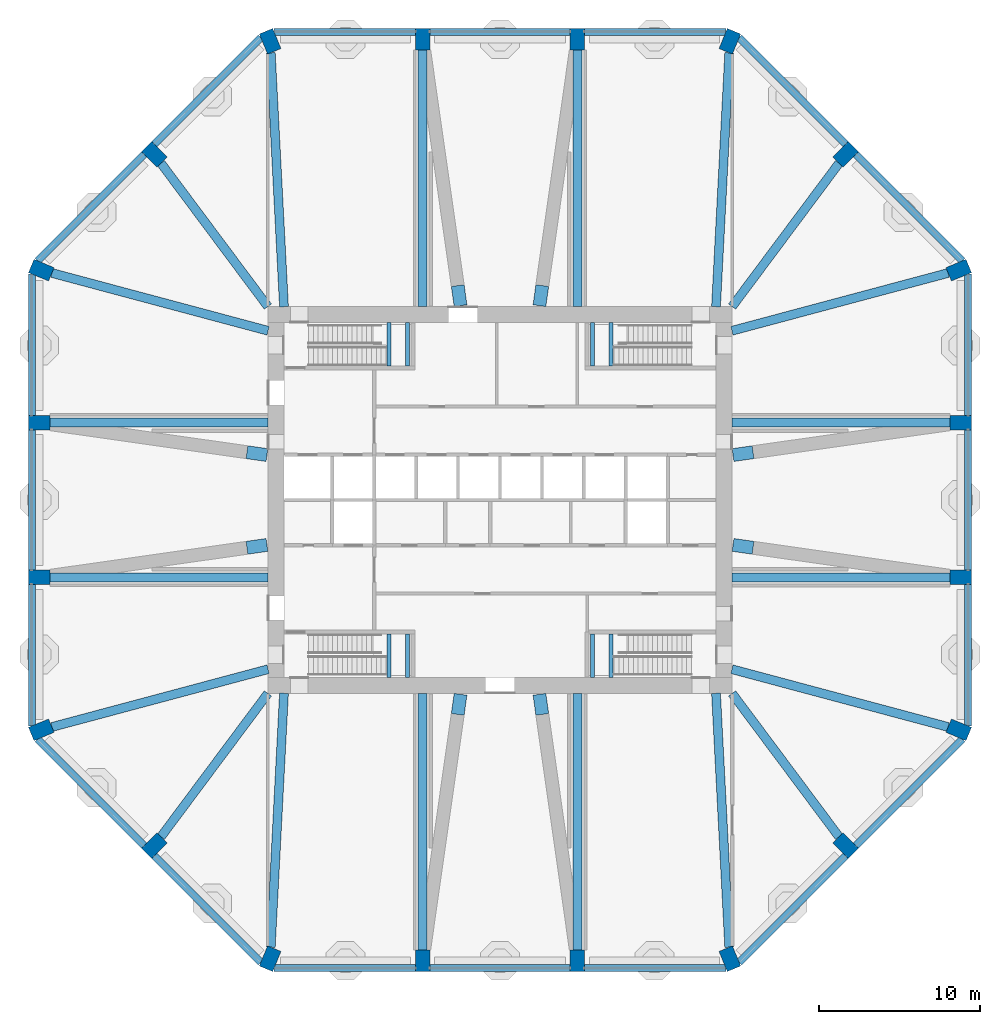
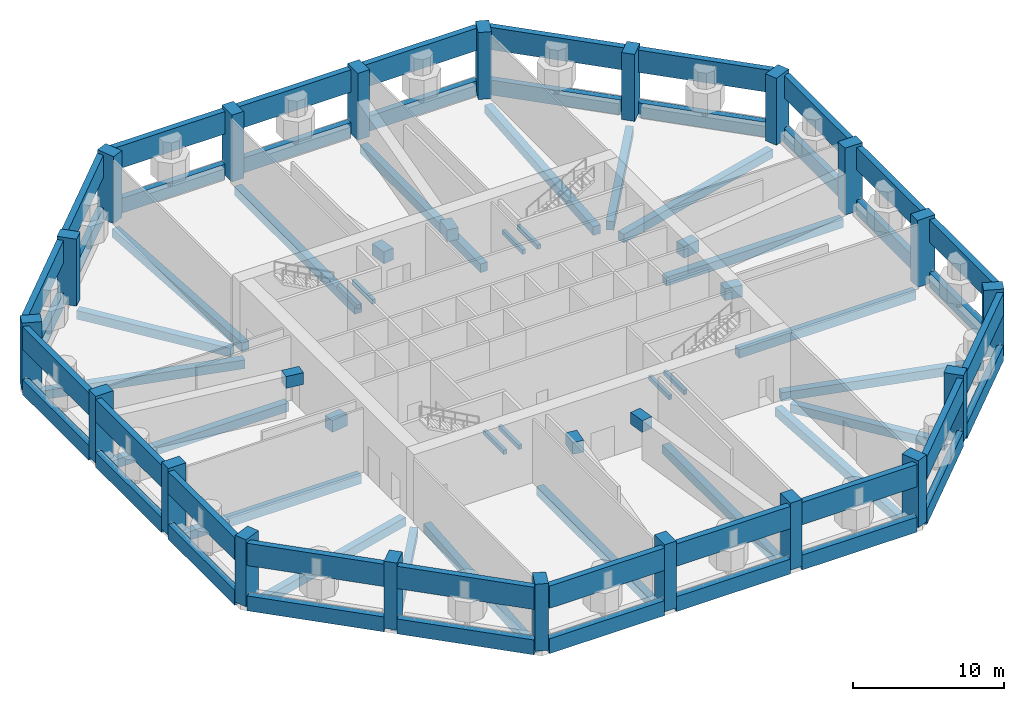
# One storey, part 1 of 9: 76 beams, 20 columns.
"""IFC4 building model written with IfcOpenShell, lengths in metres."""

from ifc_helpers import new_model, si_unit, direction, frame, origin, origin_2d, place, context, subcontext, project, spatial, rectangle, extrude, material, material_profile, profile_set, type_object, element, save


model = new_model("IFC4")

# Units and contexts
model_context = context("Model", 3, precision=1e-05, world=origin(), true_north=direction((0.0, 1.0)))
body_context = subcontext(model_context, "Body", "Model", "MODEL_VIEW")
ifc_project = project(units=[si_unit("LENGTHUNIT", "METRE"), si_unit("AREAUNIT", "SQUARE_METRE"), si_unit("VOLUMEUNIT", "CUBIC_METRE"), si_unit("PLANEANGLEUNIT", "RADIAN"), si_unit("MASSUNIT", "GRAM", prefix="KILO")], contexts=[model_context])

# Site, building, storey
site_placement = place(None, origin())
site = spatial("IfcSite", under=ifc_project, at=site_placement, CompositionType="ELEMENT")
building_placement = place(site_placement, origin())
building = spatial("IfcBuilding", under=site, at=building_placement, Name="Msitu Wima Residences", CompositionType="ELEMENT")
storey_placement = place(building_placement, frame((0.0, 0.0, 101.10009765625)))
storey = spatial("IfcBuildingStorey", under=building, at=storey_placement, Name="L23", CompositionType="ELEMENT", Elevation=101.10009765625)

# Columns
ifc_material_1 = material(Name="Concrete C80/95", Category="concrete")
ifc_material_profile_1 = material_profile(ifc_material_1, rectangle(XDim=0.89990234375, YDim=1.35009765625, at=origin_2d()), Name="RC 900x1350")
ifc_profile_set_1 = profile_set([ifc_material_profile_1], Name="Concrete C80/95")
column_type = type_object("IfcColumnType", Name="Column RC 900x1350 Concrete C80/95", PredefinedType="COLUMN", material=ifc_profile_set_1)
for number, where, z_axis, x_axis, name in (
    (1, (28.4541015625, -14.2568359375, 0.0), (0.0, 0.0, 1.0), (0.382683496864, 0.923879505795, 0.0), "Column L23 C-E0"),
    (2, (28.574951171875, -4.800048828125, 0.0), (0.0, 0.0, 1.0), (0.0, 1.0, 0.0), "Column L23 C-E1"),
    (3, (28.574951171875, 4.800048828125, 0.0), (0.0, 0.0, 1.0), (0.0, 1.0, 0.0), "Column L23 C-E2"),
    (4, (28.4541015625, 14.2568359375, 0.0), (0.0, 0.0, 1.0), (-0.382683496864, 0.923879505795, 0.0), "Column L23 C-NE0"),
    (5, (21.44091796875, 21.44091796875, 0.0), (0.0, 0.0, 1.0), (-0.707106781187, 0.707106781187, 0.0), "Column L23 C-NE1"),
    (6, (14.2568359375, 28.4541015625, 0.0), (0.0, 0.0, 1.0), (-0.923879505795, 0.382683496864, 0.0), "Column L23 C-N0"),
    (7, (4.800048828125, 28.574951171875, 0.0), (0.0, 0.0, 1.0), (-1.0, 0.0, 0.0), "Column L23 C-N1"),
    (8, (-4.800048828125, 28.574951171875, 0.0), (0.0, 0.0, 1.0), (-1.0, 0.0, 0.0), "Column L23 C-N2"),
    (9, (-14.2568359375, 28.4541015625, 0.0), (0.0, 0.0, 1.0), (-0.923879505795, -0.382683496864, 0.0), "Column L23 C-NW0"),
    (10, (-21.44091796875, 21.44091796875, 0.0), (0.0, 0.0, 1.0), (-0.707106781187, -0.707106781187, 0.0), "Column L23 C-NW1"),
    (11, (-28.4541015625, 14.2568359375, 0.0), (0.0, 0.0, 1.0), (-0.382683496864, -0.923879505795, 0.0), "Column L23 C-W0"),
    (12, (-28.574951171875, 4.800048828125, 0.0), (0.0, 0.0, 1.0), (0.0, -1.0, 0.0), "Column L23 C-W1"),
    (13, (-28.574951171875, -4.800048828125, 0.0), (0.0, 0.0, 1.0), (0.0, -1.0, 0.0), "Column L23 C-W2"),
    (14, (-28.4541015625, -14.2568359375, 0.0), (0.0, 0.0, 1.0), (0.382683496864, -0.923879505795, 0.0), "Column L23 C-SW0"),
    (15, (-21.44091796875, -21.44091796875, 0.0), (0.0, 0.0, 1.0), (0.707106781187, -0.707106781187, 0.0), "Column L23 C-SW1"),
    (16, (-14.2568359375, -28.4541015625, 0.0), (0.0, 0.0, 1.0), (0.923879505795, -0.382683496864, 0.0), "Column L23 C-S0"),
    (17, (-4.800048828125, -28.574951171875, 0.0), (0.0, 0.0, 1.0), (1.0, 0.0, 0.0), "Column L23 C-S1"),
    (18, (4.800048828125, -28.574951171875, 0.0), (0.0, 0.0, 1.0), (1.0, 0.0, 0.0), "Column L23 C-S2"),
    (19, (14.2568359375, -28.4541015625, 0.0), (0.0, 0.0, 1.0), (0.923879505795, 0.382683496864, 0.0), "Column L23 C-SE0"),
    (20, (21.44091796875, -21.44091796875, 0.0), (0.0, 0.0, 1.0), (0.707106781187, 0.707106781187, 0.0), "Column L23 C-SE1"),
):
    element("IfcColumn", number, at=place(storey_placement, frame(where, z_axis=z_axis, x_axis=x_axis)), inside=storey, type_object=column_type, Name=name, PredefinedType="COLUMN", context=body_context, shape_type="SweptSolid", body=[
        extrude(rectangle(XDim=0.89990234375, YDim=1.35009765625, at=origin_2d()), origin(), (0.0, 0.0, 1.0), 5.39990234375),
    ])

# Beams
ifc_material_2 = material(Name="Concrete C50/60", Category="concrete")
ifc_material_profile_2 = material_profile(ifc_material_2, rectangle(XDim=0.550048828125, YDim=0.699951171875, at=origin_2d()), Name="RC 550x700")
ifc_profile_set_2 = profile_set([ifc_material_profile_2], Name="Concrete C50/60")
beam_type_1 = type_object("IfcBeamType", Name="Beam RC 550x700 Concrete C50/60", PredefinedType="BEAM", material=ifc_profile_set_2)
beam_1_placement = place(storey_placement, frame((27.79638671875, -14.080810546875, -0.75), z_axis=(-0.966081778408, 0.258236320891, 0.0), x_axis=(-0.258236320891, -0.966081778408, 0.0)))
element("IfcBeam", 21, at=beam_1_placement, inside=storey, type_object=beam_type_1, Name="Beam L23 C-E0", PredefinedType="BEAM", context=body_context, shape_type="SweptSolid", body=[
    extrude(rectangle(XDim=0.550048828125, YDim=0.699951171875, at=origin_2d()), origin(), (0.0, 0.0, 1.0), 13.878662109375),
])
for number, where, z_axis, x_axis, name in (
    (22, (27.89990234375, -4.800048828125, -0.75), (-1.0, 0.0, 0.0), (0.0, -1.0, 0.0), "Beam L23 C-E1"),
    (23, (27.89990234375, 4.800048828125, -0.75), (-1.0, 0.0, 0.0), (0.0, -1.0, 0.0), "Beam L23 C-E2"),
):
    element("IfcBeam", number, at=place(storey_placement, frame(where, z_axis=z_axis, x_axis=x_axis)), inside=storey, type_object=beam_type_1, Name=name, PredefinedType="BEAM", context=body_context, shape_type="SweptSolid", body=[
        extrude(rectangle(XDim=0.550048828125, YDim=0.699951171875, at=origin_2d()), origin(), (0.0, 0.0, 1.0), 13.5),
    ])
beam_2_placement = place(storey_placement, frame((27.79638671875, 14.080810546875, -0.75), z_axis=(-0.966081778408, -0.258236320891, 0.0), x_axis=(0.258236320891, -0.966081778408, 0.0)))
element("IfcBeam", 24, at=beam_2_placement, inside=storey, type_object=beam_type_1, Name="Beam L23 C-NE0", PredefinedType="BEAM", context=body_context, shape_type="SweptSolid", body=[
    extrude(rectangle(XDim=0.550048828125, YDim=0.699951171875, at=origin_2d()), origin(), (0.0, 0.0, 1.0), 13.878662109375),
])
beam_3_placement = place(storey_placement, frame((21.033203125, 20.89404296875, -0.75), z_axis=(-0.597850242031, -0.801607814398, 0.0), x_axis=(0.801607814398, -0.597850242031, 0.0)))
element("IfcBeam", 25, at=beam_3_placement, inside=storey, type_object=beam_type_1, Name="Beam L23 C-NE1", PredefinedType="BEAM", context=body_context, shape_type="SweptSolid", body=[
    extrude(rectangle(XDim=0.550048828125, YDim=0.699951171875, at=origin_2d()), origin(), (0.0, 0.0, 1.0), 11.09521484375),
])
beam_4_placement = place(storey_placement, frame((14.219482421875, 27.739013671875, -0.75), z_axis=(-0.05199418091, -0.998647387796, 0.0), x_axis=(0.998647387796, -0.05199418091, 0.0)))
element("IfcBeam", 26, at=beam_4_placement, inside=storey, type_object=beam_type_1, Name="Beam L23 C-N0", PredefinedType="BEAM", context=body_context, shape_type="SweptSolid", body=[
    extrude(rectangle(XDim=0.550048828125, YDim=0.699951171875, at=origin_2d()), origin(), (0.0, 0.0, 1.0), 15.772216796875),
])
for number, where, z_axis, x_axis, name in (
    (27, (4.800048828125, 27.89990234375, -0.75), (0.0, -1.0, 0.0), (1.0, 0.0, 0.0), "Beam L23 C-N1"),
    (28, (-4.800048828125, 27.89990234375, -0.75), (0.0, -1.0, 0.0), (1.0, 0.0, 0.0), "Beam L23 C-N2"),
):
    element("IfcBeam", number, at=place(storey_placement, frame(where, z_axis=z_axis, x_axis=x_axis)), inside=storey, type_object=beam_type_1, Name=name, PredefinedType="BEAM", context=body_context, shape_type="SweptSolid", body=[
        extrude(rectangle(XDim=0.550048828125, YDim=0.699951171875, at=origin_2d()), origin(), (0.0, 0.0, 1.0), 15.89990234375),
    ])
beam_5_placement = place(storey_placement, frame((-14.219482421875, 27.739013671875, -0.75), z_axis=(0.05199418091, -0.998647387796, 0.0), x_axis=(0.998647387796, 0.05199418091, 0.0)))
element("IfcBeam", 29, at=beam_5_placement, inside=storey, type_object=beam_type_1, Name="Beam L23 C-NW0", PredefinedType="BEAM", context=body_context, shape_type="SweptSolid", body=[
    extrude(rectangle(XDim=0.550048828125, YDim=0.699951171875, at=origin_2d()), origin(), (0.0, 0.0, 1.0), 15.772216796875),
])
beam_6_placement = place(storey_placement, frame((-21.033203125, 20.89404296875, -0.75), z_axis=(0.597850242031, -0.801607814398, 0.0), x_axis=(0.801607814398, 0.597850242031, 0.0)))
element("IfcBeam", 30, at=beam_6_placement, inside=storey, type_object=beam_type_1, Name="Beam L23 C-NW1", PredefinedType="BEAM", context=body_context, shape_type="SweptSolid", body=[
    extrude(rectangle(XDim=0.550048828125, YDim=0.699951171875, at=origin_2d()), origin(), (0.0, 0.0, 1.0), 11.09521484375),
])
beam_7_placement = place(storey_placement, frame((-27.79638671875, 14.080810546875, -0.75), z_axis=(0.966081778408, -0.258236320891, 0.0), x_axis=(0.258236320891, 0.966081778408, 0.0)))
element("IfcBeam", 31, at=beam_7_placement, inside=storey, type_object=beam_type_1, Name="Beam L23 C-W0", PredefinedType="BEAM", context=body_context, shape_type="SweptSolid", body=[
    extrude(rectangle(XDim=0.550048828125, YDim=0.699951171875, at=origin_2d()), origin(), (0.0, 0.0, 1.0), 13.878662109375),
])
for number, where, z_axis, x_axis, name in (
    (32, (-27.89990234375, 4.800048828125, -0.75), (1.0, 0.0, 0.0), (0.0, 1.0, 0.0), "Beam L23 C-W1"),
    (33, (-27.89990234375, -4.800048828125, -0.75), (1.0, 0.0, 0.0), (0.0, 1.0, 0.0), "Beam L23 C-W2"),
):
    element("IfcBeam", number, at=place(storey_placement, frame(where, z_axis=z_axis, x_axis=x_axis)), inside=storey, type_object=beam_type_1, Name=name, PredefinedType="BEAM", context=body_context, shape_type="SweptSolid", body=[
        extrude(rectangle(XDim=0.550048828125, YDim=0.699951171875, at=origin_2d()), origin(), (0.0, 0.0, 1.0), 13.5),
    ])
beam_8_placement = place(storey_placement, frame((-27.79638671875, -14.080810546875, -0.75), z_axis=(0.966081778408, 0.258236320891, 0.0), x_axis=(-0.258236320891, 0.966081778408, 0.0)))
element("IfcBeam", 34, at=beam_8_placement, inside=storey, type_object=beam_type_1, Name="Beam L23 C-SW0", PredefinedType="BEAM", context=body_context, shape_type="SweptSolid", body=[
    extrude(rectangle(XDim=0.550048828125, YDim=0.699951171875, at=origin_2d()), origin(), (0.0, 0.0, 1.0), 13.878662109375),
])
beam_9_placement = place(storey_placement, frame((-21.033203125, -20.89404296875, -0.75), z_axis=(0.597850242031, 0.801607814398, 0.0), x_axis=(-0.801607814398, 0.597850242031, 0.0)))
element("IfcBeam", 35, at=beam_9_placement, inside=storey, type_object=beam_type_1, Name="Beam L23 C-SW1", PredefinedType="BEAM", context=body_context, shape_type="SweptSolid", body=[
    extrude(rectangle(XDim=0.550048828125, YDim=0.699951171875, at=origin_2d()), origin(), (0.0, 0.0, 1.0), 11.09521484375),
])
beam_10_placement = place(storey_placement, frame((-14.219482421875, -27.739013671875, -0.75), z_axis=(0.05199418091, 0.998647387796, 0.0), x_axis=(-0.998647387796, 0.05199418091, 0.0)))
element("IfcBeam", 36, at=beam_10_placement, inside=storey, type_object=beam_type_1, Name="Beam L23 C-S0", PredefinedType="BEAM", context=body_context, shape_type="SweptSolid", body=[
    extrude(rectangle(XDim=0.550048828125, YDim=0.699951171875, at=origin_2d()), origin(), (0.0, 0.0, 1.0), 15.772216796875),
])
for number, where, z_axis, x_axis, name in (
    (37, (-4.800048828125, -27.89990234375, -0.75), (0.0, 1.0, 0.0), (-1.0, 0.0, 0.0), "Beam L23 C-S1"),
    (38, (4.800048828125, -27.89990234375, -0.75), (0.0, 1.0, 0.0), (-1.0, 0.0, 0.0), "Beam L23 C-S2"),
):
    element("IfcBeam", number, at=place(storey_placement, frame(where, z_axis=z_axis, x_axis=x_axis)), inside=storey, type_object=beam_type_1, Name=name, PredefinedType="BEAM", context=body_context, shape_type="SweptSolid", body=[
        extrude(rectangle(XDim=0.550048828125, YDim=0.699951171875, at=origin_2d()), origin(), (0.0, 0.0, 1.0), 15.89990234375),
    ])
beam_11_placement = place(storey_placement, frame((14.219482421875, -27.739013671875, -0.75), z_axis=(-0.05199418091, 0.998647387796, 0.0), x_axis=(-0.998647387796, -0.05199418091, 0.0)))
element("IfcBeam", 39, at=beam_11_placement, inside=storey, type_object=beam_type_1, Name="Beam L23 C-SE0", PredefinedType="BEAM", context=body_context, shape_type="SweptSolid", body=[
    extrude(rectangle(XDim=0.550048828125, YDim=0.699951171875, at=origin_2d()), origin(), (0.0, 0.0, 1.0), 15.772216796875),
])
beam_12_placement = place(storey_placement, frame((21.033203125, -20.89404296875, -0.75), z_axis=(-0.597850242031, 0.801607814398, 0.0), x_axis=(-0.801607814398, -0.597850242031, 0.0)))
element("IfcBeam", 40, at=beam_12_placement, inside=storey, type_object=beam_type_1, Name="Beam L23 C-SE1", PredefinedType="BEAM", context=body_context, shape_type="SweptSolid", body=[
    extrude(rectangle(XDim=0.550048828125, YDim=0.699951171875, at=origin_2d()), origin(), (0.0, 0.0, 1.0), 11.09521484375),
])
ifc_material_profile_3 = material_profile(ifc_material_1, rectangle(XDim=0.449951171875, YDim=1.800048828125, at=origin_2d()), Name="RC 450x1800")
ifc_profile_set_3 = profile_set([ifc_material_profile_3], Name="Concrete C80/95")
beam_type_2 = type_object("IfcBeamType", Name="Belt girder RC 450x1800 Concrete C80/95", PredefinedType="BEAM", material=ifc_profile_set_3)
beam_13_placement = place(storey_placement, frame((29.02490234375, -14.01806640625, 4.25), z_axis=(0.0, 1.0, 0.0), x_axis=(-1.0, 0.0, 0.0)))
element("IfcBeam", 41, at=beam_13_placement, inside=storey, type_object=beam_type_2, Name="Belt girder L23 E0", PredefinedType="BEAM", context=body_context, shape_type="SweptSolid", body=[
    extrude(rectangle(XDim=0.449951171875, YDim=1.800048828125, at=origin_2d()), origin(), (0.0, 0.0, 1.0), 8.76806640625),
])
beam_14_placement = place(storey_placement, frame((29.02490234375, -4.35009765625, 4.25), z_axis=(0.0, 1.0, 0.0), x_axis=(-1.0, 0.0, 0.0)))
element("IfcBeam", 42, at=beam_14_placement, inside=storey, type_object=beam_type_2, Name="Belt girder L23 E1", PredefinedType="BEAM", context=body_context, shape_type="SweptSolid", body=[
    extrude(rectangle(XDim=0.449951171875, YDim=1.800048828125, at=origin_2d()), origin(), (0.0, 0.0, 1.0), 8.7001953125),
])
beam_15_placement = place(storey_placement, frame((29.02490234375, 5.25, 4.25), z_axis=(0.0, 1.0, 0.0), x_axis=(-1.0, 0.0, 0.0)))
element("IfcBeam", 43, at=beam_15_placement, inside=storey, type_object=beam_type_2, Name="Belt girder L23 E2", PredefinedType="BEAM", context=body_context, shape_type="SweptSolid", body=[
    extrude(rectangle(XDim=0.449951171875, YDim=1.800048828125, at=origin_2d()), origin(), (0.0, 0.0, 1.0), 8.76806640625),
])
for number, where, z_axis, x_axis, name in (
    (44, (28.68896484375, 14.8291015625, 4.25), (-0.707093725903, 0.707119836229, 0.0), (-0.707119836229, -0.707093725903, 0.0), "Belt girder L23 NE0"),
    (45, (21.44091796875, 22.077392578125, 4.25), (-0.707119836229, 0.707093725903, 0.0), (-0.707093725903, -0.707119836229, 0.0), "Belt girder L23 NE1"),
):
    element("IfcBeam", number, at=place(storey_placement, frame(where, z_axis=z_axis, x_axis=x_axis)), inside=storey, type_object=beam_type_2, Name=name, PredefinedType="BEAM", context=body_context, shape_type="SweptSolid", body=[
        extrude(rectangle(XDim=0.449951171875, YDim=1.800048828125, at=origin_2d()), origin(), (0.0, 0.0, 1.0), 9.350341796875),
    ])
beam_16_placement = place(storey_placement, frame((14.01806640625, 29.02490234375, 4.25), z_axis=(-1.0, 0.0, 0.0), x_axis=(0.0, -1.0, 0.0)))
element("IfcBeam", 46, at=beam_16_placement, inside=storey, type_object=beam_type_2, Name="Belt girder L23 N0", PredefinedType="BEAM", context=body_context, shape_type="SweptSolid", body=[
    extrude(rectangle(XDim=0.449951171875, YDim=1.800048828125, at=origin_2d()), origin(), (0.0, 0.0, 1.0), 8.76806640625),
])
beam_17_placement = place(storey_placement, frame((4.35009765625, 29.02490234375, 4.25), z_axis=(-1.0, 0.0, 0.0), x_axis=(0.0, -1.0, 0.0)))
element("IfcBeam", 47, at=beam_17_placement, inside=storey, type_object=beam_type_2, Name="Belt girder L23 N1", PredefinedType="BEAM", context=body_context, shape_type="SweptSolid", body=[
    extrude(rectangle(XDim=0.449951171875, YDim=1.800048828125, at=origin_2d()), origin(), (0.0, 0.0, 1.0), 8.7001953125),
])
beam_18_placement = place(storey_placement, frame((-5.25, 29.02490234375, 4.25), z_axis=(-1.0, 0.0, 0.0), x_axis=(0.0, -1.0, 0.0)))
element("IfcBeam", 48, at=beam_18_placement, inside=storey, type_object=beam_type_2, Name="Belt girder L23 N2", PredefinedType="BEAM", context=body_context, shape_type="SweptSolid", body=[
    extrude(rectangle(XDim=0.449951171875, YDim=1.800048828125, at=origin_2d()), origin(), (0.0, 0.0, 1.0), 8.76806640625),
])
for number, where, z_axis, x_axis, name in (
    (49, (-14.8291015625, 28.68896484375, 4.25), (-0.707119836229, -0.707093725903, 0.0), (0.707093725903, -0.707119836229, 0.0), "Belt girder L23 NW0"),
    (50, (-22.077392578125, 21.44091796875, 4.25), (-0.707093725903, -0.707119836229, 0.0), (0.707119836229, -0.707093725903, 0.0), "Belt girder L23 NW1"),
):
    element("IfcBeam", number, at=place(storey_placement, frame(where, z_axis=z_axis, x_axis=x_axis)), inside=storey, type_object=beam_type_2, Name=name, PredefinedType="BEAM", context=body_context, shape_type="SweptSolid", body=[
        extrude(rectangle(XDim=0.449951171875, YDim=1.800048828125, at=origin_2d()), origin(), (0.0, 0.0, 1.0), 9.350341796875),
    ])
beam_19_placement = place(storey_placement, frame((-29.02490234375, 14.01806640625, 4.25), z_axis=(0.0, -1.0, 0.0), x_axis=(1.0, 0.0, 0.0)))
element("IfcBeam", 51, at=beam_19_placement, inside=storey, type_object=beam_type_2, Name="Belt girder L23 W0", PredefinedType="BEAM", context=body_context, shape_type="SweptSolid", body=[
    extrude(rectangle(XDim=0.449951171875, YDim=1.800048828125, at=origin_2d()), origin(), (0.0, 0.0, 1.0), 8.76806640625),
])
beam_20_placement = place(storey_placement, frame((-29.02490234375, 4.35009765625, 4.25), z_axis=(0.0, -1.0, 0.0), x_axis=(1.0, 0.0, 0.0)))
element("IfcBeam", 52, at=beam_20_placement, inside=storey, type_object=beam_type_2, Name="Belt girder L23 W1", PredefinedType="BEAM", context=body_context, shape_type="SweptSolid", body=[
    extrude(rectangle(XDim=0.449951171875, YDim=1.800048828125, at=origin_2d()), origin(), (0.0, 0.0, 1.0), 8.7001953125),
])
beam_21_placement = place(storey_placement, frame((-29.02490234375, -5.25, 4.25), z_axis=(0.0, -1.0, 0.0), x_axis=(1.0, 0.0, 0.0)))
element("IfcBeam", 53, at=beam_21_placement, inside=storey, type_object=beam_type_2, Name="Belt girder L23 W2", PredefinedType="BEAM", context=body_context, shape_type="SweptSolid", body=[
    extrude(rectangle(XDim=0.449951171875, YDim=1.800048828125, at=origin_2d()), origin(), (0.0, 0.0, 1.0), 8.76806640625),
])
for number, where, z_axis, x_axis, name in (
    (54, (-28.68896484375, -14.8291015625, 4.25), (0.707093725903, -0.707119836229, 0.0), (0.707119836229, 0.707093725903, 0.0), "Belt girder L23 SW0"),
    (55, (-21.44091796875, -22.077392578125, 4.25), (0.707119836229, -0.707093725903, 0.0), (0.707093725903, 0.707119836229, 0.0), "Belt girder L23 SW1"),
):
    element("IfcBeam", number, at=place(storey_placement, frame(where, z_axis=z_axis, x_axis=x_axis)), inside=storey, type_object=beam_type_2, Name=name, PredefinedType="BEAM", context=body_context, shape_type="SweptSolid", body=[
        extrude(rectangle(XDim=0.449951171875, YDim=1.800048828125, at=origin_2d()), origin(), (0.0, 0.0, 1.0), 9.350341796875),
    ])
beam_22_placement = place(storey_placement, frame((-14.01806640625, -29.02490234375, 4.25), z_axis=(1.0, 0.0, 0.0), x_axis=(0.0, 1.0, 0.0)))
element("IfcBeam", 56, at=beam_22_placement, inside=storey, type_object=beam_type_2, Name="Belt girder L23 S0", PredefinedType="BEAM", context=body_context, shape_type="SweptSolid", body=[
    extrude(rectangle(XDim=0.449951171875, YDim=1.800048828125, at=origin_2d()), origin(), (0.0, 0.0, 1.0), 8.76806640625),
])
beam_23_placement = place(storey_placement, frame((-4.35009765625, -29.02490234375, 4.25), z_axis=(1.0, 0.0, 0.0), x_axis=(0.0, 1.0, 0.0)))
element("IfcBeam", 57, at=beam_23_placement, inside=storey, type_object=beam_type_2, Name="Belt girder L23 S1", PredefinedType="BEAM", context=body_context, shape_type="SweptSolid", body=[
    extrude(rectangle(XDim=0.449951171875, YDim=1.800048828125, at=origin_2d()), origin(), (0.0, 0.0, 1.0), 8.7001953125),
])
beam_24_placement = place(storey_placement, frame((5.25, -29.02490234375, 4.25), z_axis=(1.0, 0.0, 0.0), x_axis=(0.0, 1.0, 0.0)))
element("IfcBeam", 58, at=beam_24_placement, inside=storey, type_object=beam_type_2, Name="Belt girder L23 S2", PredefinedType="BEAM", context=body_context, shape_type="SweptSolid", body=[
    extrude(rectangle(XDim=0.449951171875, YDim=1.800048828125, at=origin_2d()), origin(), (0.0, 0.0, 1.0), 8.76806640625),
])
for number, where, z_axis, x_axis, name in (
    (59, (14.8291015625, -28.68896484375, 4.25), (0.707119836229, 0.707093725903, 0.0), (-0.707093725903, 0.707119836229, 0.0), "Belt girder L23 SE0"),
    (60, (22.077392578125, -21.44091796875, 4.25), (0.707093725903, 0.707119836229, 0.0), (-0.707119836229, 0.707093725903, 0.0), "Belt girder L23 SE1"),
):
    element("IfcBeam", number, at=place(storey_placement, frame(where, z_axis=z_axis, x_axis=x_axis)), inside=storey, type_object=beam_type_2, Name=name, PredefinedType="BEAM", context=body_context, shape_type="SweptSolid", body=[
        extrude(rectangle(XDim=0.449951171875, YDim=1.800048828125, at=origin_2d()), origin(), (0.0, 0.0, 1.0), 9.350341796875),
    ])
ifc_material_profile_4 = material_profile(ifc_material_1, rectangle(XDim=0.800048828125, YDim=0.949951171875, at=origin_2d()), Name="RC 800x950")
ifc_profile_set_4 = profile_set([ifc_material_profile_4], Name="Concrete C80/95")
beam_type_3 = type_object("IfcBeamType", Name="Coupling beam RC 800x950 Concrete C80/95", PredefinedType="BEAM", material=ifc_profile_set_4)
for number, where, z_axis, x_axis, name in (
    (61, (14.45654296875, -2.787841796875, 2.875), (0.990003890871, -0.141040051264, 0.0), (0.141040051264, 0.990003890871, 0.0), "Coupling beam L23 C-E1"),
    (62, (14.45654296875, 2.787841796875, 2.875), (0.990003890871, 0.141040051264, 0.0), (-0.141040051264, 0.990003890871, 0.0), "Coupling beam L23 C-E2"),
    (63, (2.44580078125, 12.056396484375, 2.6748046875), (0.141040051264, 0.990003890871, 0.0), (-0.990003890871, 0.141040051264, 0.0), "Coupling beam L23 C-N1"),
    (64, (-2.44580078125, 12.056396484375, 2.6748046875), (-0.141040051264, 0.990003890871, 0.0), (-0.990003890871, -0.141040051264, 0.0), "Coupling beam L23 C-N2"),
    (65, (-14.45654296875, 2.787841796875, 2.875), (-0.990003890871, 0.141040051264, 0.0), (-0.141040051264, -0.990003890871, 0.0), "Coupling beam L23 C-W1"),
    (66, (-14.45654296875, -2.787841796875, 2.875), (-0.990003890871, -0.141040051264, 0.0), (0.141040051264, -0.990003890871, 0.0), "Coupling beam L23 C-W2"),
    (67, (-2.44580078125, -12.056396484375, 2.6748046875), (-0.141040051264, -0.990003890871, 0.0), (0.990003890871, -0.141040051264, 0.0), "Coupling beam L23 C-S1"),
    (68, (2.44580078125, -12.056396484375, 2.6748046875), (0.141040051264, -0.990003890871, 0.0), (0.990003890871, 0.141040051264, 0.0), "Coupling beam L23 C-S2"),
):
    element("IfcBeam", number, at=place(storey_placement, frame(where, z_axis=z_axis, x_axis=x_axis)), inside=storey, type_object=beam_type_3, Name=name, PredefinedType="BEAM", context=body_context, shape_type="SweptSolid", body=[
        extrude(rectangle(XDim=0.800048828125, YDim=0.949951171875, at=origin_2d()), origin(), (0.0, 0.0, 1.0), 1.2548828125),
    ])
ifc_material_3 = material(Name="Concrete C40/50", Category="concrete")
ifc_material_profile_5 = material_profile(ifc_material_3, rectangle(XDim=0.25, YDim=0.35009765625, at=origin_2d()), Name="RC 250x350")
ifc_profile_set_5 = profile_set([ifc_material_profile_5], Name="Concrete C40/50")
beam_type_4 = type_object("IfcBeamType", Name="Landing beam RC 250x350", PredefinedType="BEAM", material=ifc_profile_set_5)
for number, where, z_axis, x_axis, name in (
    (69, (-6.875, 8.324951171875, 2.40673828125), (0.0, 1.0, 0.0), (-1.0, 0.0, 0.0), "Stair 1 landing beam"),
    (70, (-5.72509765625, 8.324951171875, 2.40673828125), (0.0, 1.0, 0.0), (-1.0, 0.0, 0.0), "Stair 1 landing beam"),
    (71, (-6.875, -11.02490234375, 2.40673828125), (0.0, 1.0, 0.0), (-1.0, 0.0, 0.0), "Stair 2 landing beam"),
    (72, (-5.72509765625, -11.02490234375, 2.40673828125), (0.0, 1.0, 0.0), (-1.0, 0.0, 0.0), "Stair 2 landing beam"),
    (73, (6.875, 8.324951171875, 2.40673828125), (0.0, 1.0, 0.0), (-1.0, 0.0, 0.0), "Stair 3 landing beam"),
    (74, (5.72509765625, 8.324951171875, 2.40673828125), (0.0, 1.0, 0.0), (-1.0, 0.0, 0.0), "Stair 3 landing beam"),
    (75, (6.875, -11.02490234375, 2.40673828125), (0.0, 1.0, 0.0), (-1.0, 0.0, 0.0), "Stair 4 landing beam"),
    (76, (5.72509765625, -11.02490234375, 2.40673828125), (0.0, 1.0, 0.0), (-1.0, 0.0, 0.0), "Stair 4 landing beam"),
):
    element("IfcBeam", number, at=place(storey_placement, frame(where, z_axis=z_axis, x_axis=x_axis)), inside=storey, type_object=beam_type_4, Name=name, PredefinedType="BEAM", context=body_context, shape_type="SweptSolid", body=[
        extrude(rectangle(XDim=0.25, YDim=0.35009765625, at=origin_2d()), origin(), (0.0, 0.0, 1.0), 2.699951171875),
    ])
ifc_material_profile_6 = material_profile(ifc_material_2, rectangle(XDim=0.449951171875, YDim=1.199951171875, at=origin_2d()), Name="RC 450x1200")
ifc_profile_set_6 = profile_set([ifc_material_profile_6], Name="Concrete C50/60")
beam_type_5 = type_object("IfcBeamType", Name="Spandrel RC 450x1200 Concrete C50/60", PredefinedType="SPANDREL", material=ifc_profile_set_6)
beam_25_placement = place(storey_placement, frame((29.02490234375, -14.01806640625, 0.2998046875), z_axis=(0.0, 1.0, 0.0), x_axis=(-1.0, 0.0, 0.0)))
element("IfcBeam", 77, at=beam_25_placement, inside=storey, type_object=beam_type_5, Name="Spandrel L23 E0", PredefinedType="SPANDREL", context=body_context, shape_type="SweptSolid", body=[
    extrude(rectangle(XDim=0.449951171875, YDim=1.199951171875, at=origin_2d()), origin(), (0.0, 0.0, 1.0), 8.76806640625),
])
beam_26_placement = place(storey_placement, frame((29.02490234375, -4.35009765625, 0.2998046875), z_axis=(0.0, 1.0, 0.0), x_axis=(-1.0, 0.0, 0.0)))
element("IfcBeam", 78, at=beam_26_placement, inside=storey, type_object=beam_type_5, Name="Spandrel L23 E1", PredefinedType="SPANDREL", context=body_context, shape_type="SweptSolid", body=[
    extrude(rectangle(XDim=0.449951171875, YDim=1.199951171875, at=origin_2d()), origin(), (0.0, 0.0, 1.0), 8.7001953125),
])
beam_27_placement = place(storey_placement, frame((29.02490234375, 5.25, 0.2998046875), z_axis=(0.0, 1.0, 0.0), x_axis=(-1.0, 0.0, 0.0)))
element("IfcBeam", 79, at=beam_27_placement, inside=storey, type_object=beam_type_5, Name="Spandrel L23 E2", PredefinedType="SPANDREL", context=body_context, shape_type="SweptSolid", body=[
    extrude(rectangle(XDim=0.449951171875, YDim=1.199951171875, at=origin_2d()), origin(), (0.0, 0.0, 1.0), 8.76806640625),
])
for number, where, z_axis, x_axis, name in (
    (80, (28.68896484375, 14.8291015625, 0.2998046875), (-0.707093725903, 0.707119836229, 0.0), (-0.707119836229, -0.707093725903, 0.0), "Spandrel L23 NE0"),
    (81, (21.44091796875, 22.077392578125, 0.2998046875), (-0.707119836229, 0.707093725903, 0.0), (-0.707093725903, -0.707119836229, 0.0), "Spandrel L23 NE1"),
):
    element("IfcBeam", number, at=place(storey_placement, frame(where, z_axis=z_axis, x_axis=x_axis)), inside=storey, type_object=beam_type_5, Name=name, PredefinedType="SPANDREL", context=body_context, shape_type="SweptSolid", body=[
        extrude(rectangle(XDim=0.449951171875, YDim=1.199951171875, at=origin_2d()), origin(), (0.0, 0.0, 1.0), 9.350341796875),
    ])
beam_28_placement = place(storey_placement, frame((14.01806640625, 29.02490234375, 0.2998046875), z_axis=(-1.0, 0.0, 0.0), x_axis=(0.0, -1.0, 0.0)))
element("IfcBeam", 82, at=beam_28_placement, inside=storey, type_object=beam_type_5, Name="Spandrel L23 N0", PredefinedType="SPANDREL", context=body_context, shape_type="SweptSolid", body=[
    extrude(rectangle(XDim=0.449951171875, YDim=1.199951171875, at=origin_2d()), origin(), (0.0, 0.0, 1.0), 8.76806640625),
])
beam_29_placement = place(storey_placement, frame((4.35009765625, 29.02490234375, 0.2998046875), z_axis=(-1.0, 0.0, 0.0), x_axis=(0.0, -1.0, 0.0)))
element("IfcBeam", 83, at=beam_29_placement, inside=storey, type_object=beam_type_5, Name="Spandrel L23 N1", PredefinedType="SPANDREL", context=body_context, shape_type="SweptSolid", body=[
    extrude(rectangle(XDim=0.449951171875, YDim=1.199951171875, at=origin_2d()), origin(), (0.0, 0.0, 1.0), 8.7001953125),
])
beam_30_placement = place(storey_placement, frame((-5.25, 29.02490234375, 0.2998046875), z_axis=(-1.0, 0.0, 0.0), x_axis=(0.0, -1.0, 0.0)))
element("IfcBeam", 84, at=beam_30_placement, inside=storey, type_object=beam_type_5, Name="Spandrel L23 N2", PredefinedType="SPANDREL", context=body_context, shape_type="SweptSolid", body=[
    extrude(rectangle(XDim=0.449951171875, YDim=1.199951171875, at=origin_2d()), origin(), (0.0, 0.0, 1.0), 8.76806640625),
])
for number, where, z_axis, x_axis, name in (
    (85, (-14.8291015625, 28.68896484375, 0.2998046875), (-0.707119836229, -0.707093725903, 0.0), (0.707093725903, -0.707119836229, 0.0), "Spandrel L23 NW0"),
    (86, (-22.077392578125, 21.44091796875, 0.2998046875), (-0.707093725903, -0.707119836229, 0.0), (0.707119836229, -0.707093725903, 0.0), "Spandrel L23 NW1"),
):
    element("IfcBeam", number, at=place(storey_placement, frame(where, z_axis=z_axis, x_axis=x_axis)), inside=storey, type_object=beam_type_5, Name=name, PredefinedType="SPANDREL", context=body_context, shape_type="SweptSolid", body=[
        extrude(rectangle(XDim=0.449951171875, YDim=1.199951171875, at=origin_2d()), origin(), (0.0, 0.0, 1.0), 9.350341796875),
    ])
beam_31_placement = place(storey_placement, frame((-29.02490234375, 14.01806640625, 0.2998046875), z_axis=(0.0, -1.0, 0.0), x_axis=(1.0, 0.0, 0.0)))
element("IfcBeam", 87, at=beam_31_placement, inside=storey, type_object=beam_type_5, Name="Spandrel L23 W0", PredefinedType="SPANDREL", context=body_context, shape_type="SweptSolid", body=[
    extrude(rectangle(XDim=0.449951171875, YDim=1.199951171875, at=origin_2d()), origin(), (0.0, 0.0, 1.0), 8.76806640625),
])
beam_32_placement = place(storey_placement, frame((-29.02490234375, 4.35009765625, 0.2998046875), z_axis=(0.0, -1.0, 0.0), x_axis=(1.0, 0.0, 0.0)))
element("IfcBeam", 88, at=beam_32_placement, inside=storey, type_object=beam_type_5, Name="Spandrel L23 W1", PredefinedType="SPANDREL", context=body_context, shape_type="SweptSolid", body=[
    extrude(rectangle(XDim=0.449951171875, YDim=1.199951171875, at=origin_2d()), origin(), (0.0, 0.0, 1.0), 8.7001953125),
])
beam_33_placement = place(storey_placement, frame((-29.02490234375, -5.25, 0.2998046875), z_axis=(0.0, -1.0, 0.0), x_axis=(1.0, 0.0, 0.0)))
element("IfcBeam", 89, at=beam_33_placement, inside=storey, type_object=beam_type_5, Name="Spandrel L23 W2", PredefinedType="SPANDREL", context=body_context, shape_type="SweptSolid", body=[
    extrude(rectangle(XDim=0.449951171875, YDim=1.199951171875, at=origin_2d()), origin(), (0.0, 0.0, 1.0), 8.76806640625),
])
for number, where, z_axis, x_axis, name in (
    (90, (-28.68896484375, -14.8291015625, 0.2998046875), (0.707093725903, -0.707119836229, 0.0), (0.707119836229, 0.707093725903, 0.0), "Spandrel L23 SW0"),
    (91, (-21.44091796875, -22.077392578125, 0.2998046875), (0.707119836229, -0.707093725903, 0.0), (0.707093725903, 0.707119836229, 0.0), "Spandrel L23 SW1"),
):
    element("IfcBeam", number, at=place(storey_placement, frame(where, z_axis=z_axis, x_axis=x_axis)), inside=storey, type_object=beam_type_5, Name=name, PredefinedType="SPANDREL", context=body_context, shape_type="SweptSolid", body=[
        extrude(rectangle(XDim=0.449951171875, YDim=1.199951171875, at=origin_2d()), origin(), (0.0, 0.0, 1.0), 9.350341796875),
    ])
beam_34_placement = place(storey_placement, frame((-14.01806640625, -29.02490234375, 0.2998046875), z_axis=(1.0, 0.0, 0.0), x_axis=(0.0, 1.0, 0.0)))
element("IfcBeam", 92, at=beam_34_placement, inside=storey, type_object=beam_type_5, Name="Spandrel L23 S0", PredefinedType="SPANDREL", context=body_context, shape_type="SweptSolid", body=[
    extrude(rectangle(XDim=0.449951171875, YDim=1.199951171875, at=origin_2d()), origin(), (0.0, 0.0, 1.0), 8.76806640625),
])
beam_35_placement = place(storey_placement, frame((-4.35009765625, -29.02490234375, 0.2998046875), z_axis=(1.0, 0.0, 0.0), x_axis=(0.0, 1.0, 0.0)))
element("IfcBeam", 93, at=beam_35_placement, inside=storey, type_object=beam_type_5, Name="Spandrel L23 S1", PredefinedType="SPANDREL", context=body_context, shape_type="SweptSolid", body=[
    extrude(rectangle(XDim=0.449951171875, YDim=1.199951171875, at=origin_2d()), origin(), (0.0, 0.0, 1.0), 8.7001953125),
])
beam_36_placement = place(storey_placement, frame((5.25, -29.02490234375, 0.2998046875), z_axis=(1.0, 0.0, 0.0), x_axis=(0.0, 1.0, 0.0)))
element("IfcBeam", 94, at=beam_36_placement, inside=storey, type_object=beam_type_5, Name="Spandrel L23 S2", PredefinedType="SPANDREL", context=body_context, shape_type="SweptSolid", body=[
    extrude(rectangle(XDim=0.449951171875, YDim=1.199951171875, at=origin_2d()), origin(), (0.0, 0.0, 1.0), 8.76806640625),
])
for number, where, z_axis, x_axis, name in (
    (95, (14.8291015625, -28.68896484375, 0.2998046875), (0.707119836229, 0.707093725903, 0.0), (-0.707093725903, 0.707119836229, 0.0), "Spandrel L23 SE0"),
    (96, (22.077392578125, -21.44091796875, 0.2998046875), (0.707093725903, 0.707119836229, 0.0), (-0.707119836229, 0.707093725903, 0.0), "Spandrel L23 SE1"),
):
    element("IfcBeam", number, at=place(storey_placement, frame(where, z_axis=z_axis, x_axis=x_axis)), inside=storey, type_object=beam_type_5, Name=name, PredefinedType="SPANDREL", context=body_context, shape_type="SweptSolid", body=[
        extrude(rectangle(XDim=0.449951171875, YDim=1.199951171875, at=origin_2d()), origin(), (0.0, 0.0, 1.0), 9.350341796875),
    ])

save(model, "model.ifc")
